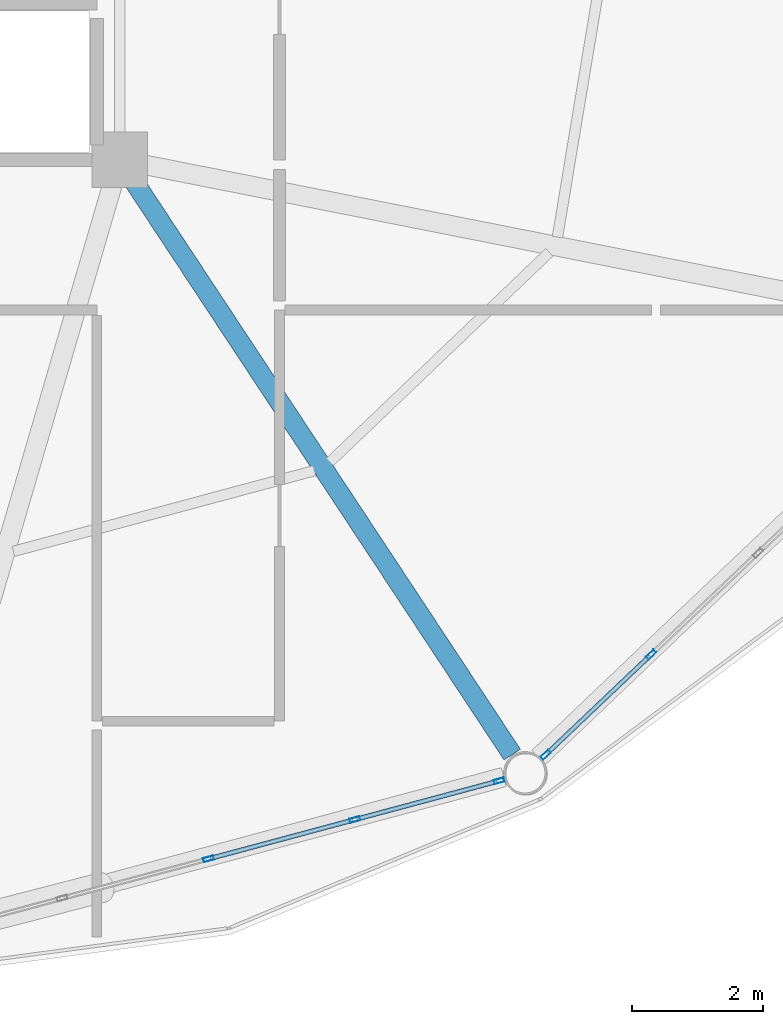
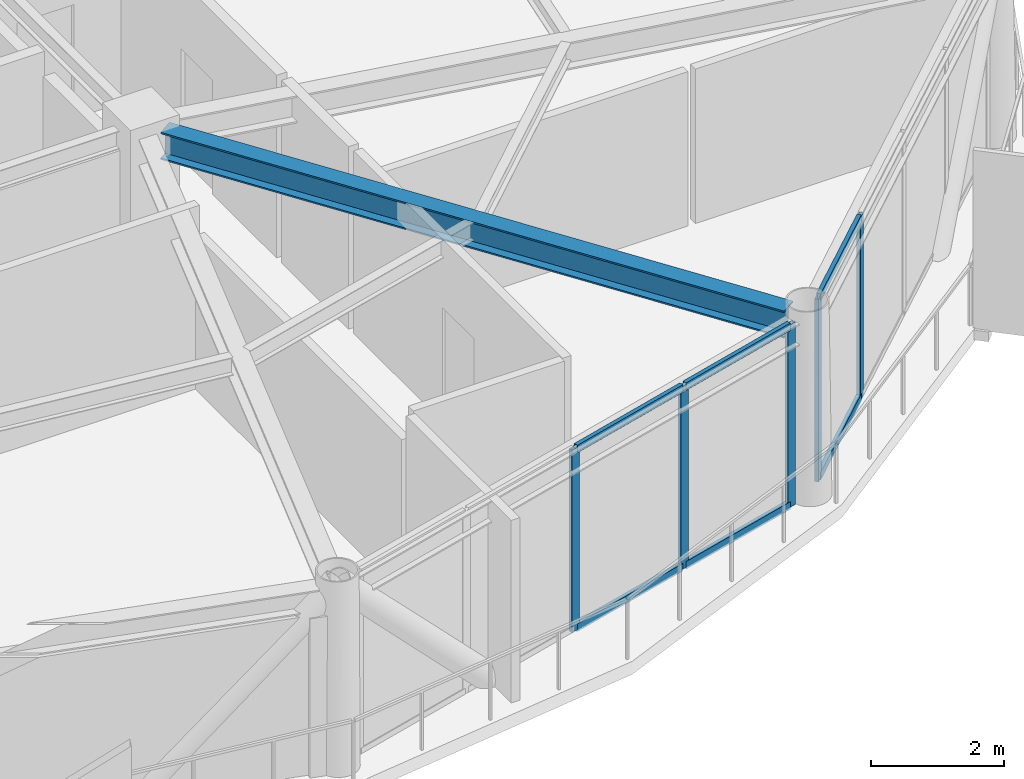
# One storey, part 10 of 29: 11 members, 1 beam, 2 elements without a shape of their own.
"""IFC4 building model written with IfcOpenShell, lengths in metres."""

from ifc_helpers import new_model, si_unit, direction, frame, origin, origin_2d, place, context, subcontext, project, spatial, hollow_rectangle, i_section, extrude, material, layer, layer_set, material_profile, profile_set, type_object, element, aggregate, save


model = new_model("IFC4")

# Units and contexts
model_context = context("Model", 3, precision=1e-05, world=origin(), true_north=direction((0.0, 1.0)))
body_context = subcontext(model_context, "Body", "Model", "MODEL_VIEW")
ifc_project = project(units=[si_unit("LENGTHUNIT", "METRE"), si_unit("AREAUNIT", "SQUARE_METRE"), si_unit("VOLUMEUNIT", "CUBIC_METRE"), si_unit("PLANEANGLEUNIT", "RADIAN"), si_unit("MASSUNIT", "GRAM", prefix="KILO")], contexts=[model_context])

# Site, building, storey
site_placement = place(None, origin())
site = spatial("IfcSite", under=ifc_project, at=site_placement, CompositionType="ELEMENT")
building_placement = place(site_placement, origin())
building = spatial("IfcBuilding", under=site, at=building_placement, Name="Varnakorn Sky Granary", CompositionType="ELEMENT")
storey_placement = place(building_placement, frame((0.0, 0.0, 189.60009765625)))
storey = spatial("IfcBuildingStorey", under=building, at=storey_placement, Name="L47", CompositionType="ELEMENT", Elevation=189.60009765625)

# Beam
ifc_material_1 = material(Name="Steel S355JR", Category="steel")
ifc_material_profile_1 = material_profile(ifc_material_1, i_section(OverallWidth=0.300048828125, OverallDepth=0.5, WebThickness=0.014404296875, FlangeThickness=0.028076171875, at=origin_2d()), Name="HE 500 B")
ifc_profile_set_1 = profile_set([ifc_material_profile_1], Name="Steel S355JR")
beam_type = type_object("IfcBeamType", Name="BM-RAD-Z4", PredefinedType="BEAM", material=ifc_profile_set_1)
beam_placement = place(storey_placement, frame((8.572998046875, -6.93798828125, 3.10986328125), z_axis=(0.5508894423, -0.834578230223, 0.0), x_axis=(0.834578230223, 0.5508894423, 0.0)))
element("IfcBeam", 1, at=beam_placement, inside=storey, type_object=beam_type, Name="Radial Floor Girder RG11 L47", PredefinedType="BEAM", context=body_context, shape_type="SweptSolid", body=[
    extrude(i_section(OverallWidth=0.300048828125, OverallDepth=0.5, WebThickness=0.014404296875, FlangeThickness=0.028076171875, at=origin_2d()), origin(), (0.0, 0.0, 1.0), 10.512939453125),
])

# Curtain wall, members
ifc_material_2 = material(Name="Anodised Bronze Aluminium Alloy 6063-T6", Category="aluminium")
ifc_layer = layer(ifc_material_2, 0.169921875, Name="Anodised Bronze Aluminium Alloy 6063-T6")
ifc_layer_set = layer_set([ifc_layer], Name="Anodised Bronze Aluminium Alloy 6063-T6")
curtain_wall_type = type_object("IfcCurtainWallType", Name="CW-LAB-1", PredefinedType="USERDEFINED", material=ifc_layer_set)
curtain_wall_1_placement = place(storey_placement, origin())
curtain_wall_1 = element("IfcCurtainWall", 2, at=curtain_wall_1_placement, inside=storey, type_object=curtain_wall_type, Name="Unitised Curtain Wall CW5 CW-L47-B10", ObjectType="CURTAIN WALL", PredefinedType="USERDEFINED")
ifc_material_profile_2 = material_profile(ifc_material_2, hollow_rectangle(XDim=0.06494140625, YDim=0.159912109375, WallThickness=0.00341796875, at=origin_2d()), Name="ALU MULL 65x160")
ifc_profile_set_2 = profile_set([ifc_material_profile_2], Name="Anodised Bronze Aluminium Alloy 6063-T6")
member_type_1 = type_object("IfcMemberType", Name="CW-LAB-1-MULL", PredefinedType="MULLION", material=ifc_profile_set_2)
member_1_placement = place(storey_placement, frame((14.163818359375, -16.11376953125, 0.0), z_axis=(0.0, 0.0, 1.0), x_axis=(0.259358622753, -0.965781085342, 0.0)))
member_1 = element("IfcMember", 3, at=member_1_placement, type_object=member_type_1, Name="CW5 mullion 1", PredefinedType="MULLION", context=body_context, shape_type="SweptSolid", body=[
    extrude(hollow_rectangle(XDim=0.06494140625, YDim=0.159912109375, WallThickness=0.00341796875, at=origin_2d()), origin(), (0.0, 0.0, 1.0), 3.35986328125),
])
member_2_placement = place(storey_placement, frame((11.953125, -16.70751953125, 0.0), z_axis=(0.0, 0.0, 1.0), x_axis=(0.259358622753, -0.965781085342, 0.0)))
member_2 = element("IfcMember", 4, at=member_2_placement, type_object=member_type_1, Name="CW5 mullion 2", PredefinedType="MULLION", context=body_context, shape_type="SweptSolid", body=[
    extrude(hollow_rectangle(XDim=0.06494140625, YDim=0.159912109375, WallThickness=0.00341796875, at=origin_2d()), origin(), (0.0, 0.0, 1.0), 3.35986328125),
])
member_3_placement = place(storey_placement, frame((9.7109375, -17.3095703125, 0.0), z_axis=(0.0, 0.0, 1.0), x_axis=(0.259358622753, -0.965781085342, 0.0)))
member_3 = element("IfcMember", 5, at=member_3_placement, type_object=member_type_1, Name="CW5 mullion 3", PredefinedType="MULLION", context=body_context, shape_type="SweptSolid", body=[
    extrude(hollow_rectangle(XDim=0.06494140625, YDim=0.159912109375, WallThickness=0.00341796875, at=origin_2d()), origin(), (0.0, 0.0, 1.0), 3.35986328125),
])

curtain_wall_2_placement = place(storey_placement, origin())
curtain_wall_2 = element("IfcCurtainWall", 6, at=curtain_wall_2_placement, inside=storey, type_object=curtain_wall_type, Name="Unitised Curtain Wall CW5 CW-L47-B11", ObjectType="CURTAIN WALL", PredefinedType="USERDEFINED")
member_4_placement = place(storey_placement, frame((16.49267578125, -14.1787109375, 0.0), z_axis=(0.0, 0.0, 1.0), x_axis=(0.688905297757, -0.724851357674, 0.0)))
member_4 = element("IfcMember", 7, at=member_4_placement, type_object=member_type_1, Name="CW5 mullion 4", PredefinedType="MULLION", context=body_context, shape_type="SweptSolid", body=[
    extrude(hollow_rectangle(XDim=0.06494140625, YDim=0.159912109375, WallThickness=0.00341796875, at=origin_2d()), origin(), (0.0, 0.0, 1.0), 3.35986328125),
])
member_5_placement = place(storey_placement, frame((14.878173828125, -15.712890625, 0.0), z_axis=(0.0, 0.0, 1.0), x_axis=(0.688905297757, -0.724851357674, 0.0)))
member_5 = element("IfcMember", 8, at=member_5_placement, type_object=member_type_1, Name="CW5 mullion 5", PredefinedType="MULLION", context=body_context, shape_type="SweptSolid", body=[
    extrude(hollow_rectangle(XDim=0.06494140625, YDim=0.159912109375, WallThickness=0.00341796875, at=origin_2d()), origin(), (0.0, 0.0, 1.0), 3.35986328125),
])

# Member
ifc_material_profile_3 = material_profile(ifc_material_2, hollow_rectangle(XDim=0.070068359375, YDim=0.139892578125, WallThickness=0.00341796875, at=origin_2d()), Name="ALU TRAN 70x140")
ifc_profile_set_3 = profile_set([ifc_material_profile_3], Name="Anodised Bronze Aluminium Alloy 6063-T6")
member_type_2 = type_object("IfcMemberType", Name="CW-LAB-1-TRAN", PredefinedType="USERDEFINED", material=ifc_profile_set_3)
member_6_placement = place(storey_placement, frame((14.132568359375, -16.1220703125, 0.034912109375), z_axis=(-0.965772442893, -0.259390802746, 0.0), x_axis=(0.259390802746, -0.965772442893, 0.0)))
member_6 = element("IfcMember", 9, at=member_6_placement, type_object=member_type_2, Name="CW5 transom 1.1", ObjectType="TRANSOM", PredefinedType="USERDEFINED", context=body_context, shape_type="SweptSolid", body=[
    extrude(hollow_rectangle(XDim=0.070068359375, YDim=0.139892578125, WallThickness=0.00341796875, at=origin_2d()), origin(), (0.0, 0.0, 1.0), 2.22412109375),
])

member_7_placement = place(storey_placement, frame((14.132568359375, -16.1220703125, 3.324951171875), z_axis=(-0.965772442893, -0.259390802746, 0.0), x_axis=(0.259390802746, -0.965772442893, 0.0)))
member_7 = element("IfcMember", 10, at=member_7_placement, type_object=member_type_2, Name="CW5 transom 1.2", ObjectType="TRANSOM", PredefinedType="USERDEFINED", context=body_context, shape_type="SweptSolid", body=[
    extrude(hollow_rectangle(XDim=0.070068359375, YDim=0.139892578125, WallThickness=0.00341796875, at=origin_2d()), origin(), (0.0, 0.0, 1.0), 2.22412109375),
])

member_8_placement = place(storey_placement, frame((11.921875, -16.7158203125, 0.034912109375), z_axis=(-0.965789984187, -0.2593254836, 0.0), x_axis=(0.2593254836, -0.965789984187, 0.0)))
member_8 = element("IfcMember", 11, at=member_8_placement, type_object=member_type_2, Name="CW5 transom 2.1", ObjectType="TRANSOM", PredefinedType="USERDEFINED", context=body_context, shape_type="SweptSolid", body=[
    extrude(hollow_rectangle(XDim=0.070068359375, YDim=0.139892578125, WallThickness=0.00341796875, at=origin_2d()), origin(), (0.0, 0.0, 1.0), 2.256591796875),
])

member_9_placement = place(storey_placement, frame((11.921875, -16.7158203125, 3.324951171875), z_axis=(-0.965789984187, -0.2593254836, 0.0), x_axis=(0.2593254836, -0.965789984187, 0.0)))
member_9 = element("IfcMember", 12, at=member_9_placement, type_object=member_type_2, Name="CW5 transom 2.2", ObjectType="TRANSOM", PredefinedType="USERDEFINED", context=body_context, shape_type="SweptSolid", body=[
    extrude(hollow_rectangle(XDim=0.070068359375, YDim=0.139892578125, WallThickness=0.00341796875, at=origin_2d()), origin(), (0.0, 0.0, 1.0), 2.256591796875),
])

aggregate(curtain_wall_1, [member_1, member_2, member_3, member_6, member_7, member_8, member_9])

member_10_placement = place(storey_placement, frame((16.468994140625, -14.201171875, 0.034912109375), z_axis=(-0.72483307441, -0.688924534503, 0.0), x_axis=(0.688924534503, -0.72483307441, 0.0)))
member_10 = element("IfcMember", 13, at=member_10_placement, type_object=member_type_2, Name="CW5 transom 4.1", ObjectType="TRANSOM", PredefinedType="USERDEFINED", context=body_context, shape_type="SweptSolid", body=[
    extrude(hollow_rectangle(XDim=0.070068359375, YDim=0.139892578125, WallThickness=0.00341796875, at=origin_2d()), origin(), (0.0, 0.0, 1.0), 2.162109375),
])

member_11_placement = place(storey_placement, frame((16.468994140625, -14.201171875, 3.324951171875), z_axis=(-0.72483307441, -0.688924534503, 0.0), x_axis=(0.688924534503, -0.72483307441, 0.0)))
member_11 = element("IfcMember", 14, at=member_11_placement, type_object=member_type_2, Name="CW5 transom 4.2", ObjectType="TRANSOM", PredefinedType="USERDEFINED", context=body_context, shape_type="SweptSolid", body=[
    extrude(hollow_rectangle(XDim=0.070068359375, YDim=0.139892578125, WallThickness=0.00341796875, at=origin_2d()), origin(), (0.0, 0.0, 1.0), 2.162109375),
])

aggregate(curtain_wall_2, [member_4, member_5, member_10, member_11])

save(model, "model.ifc")
